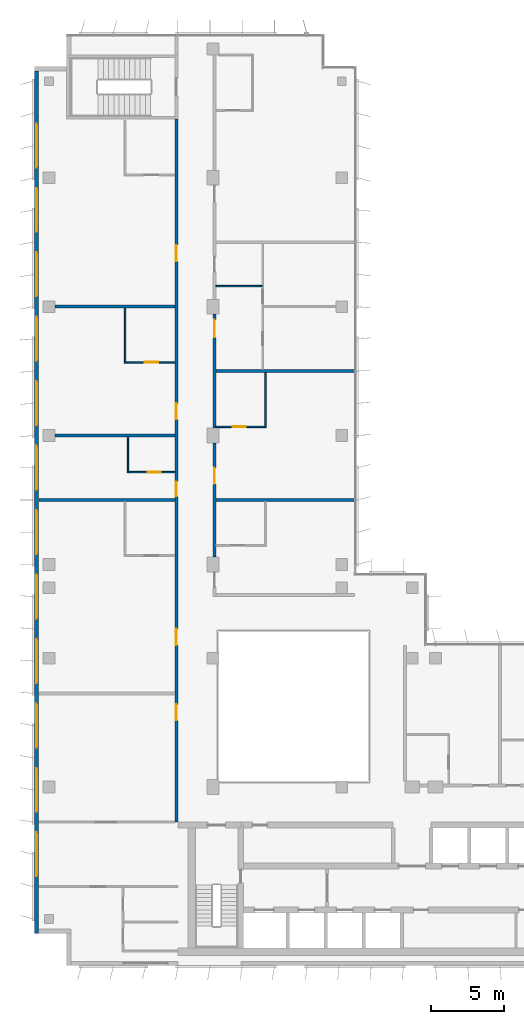
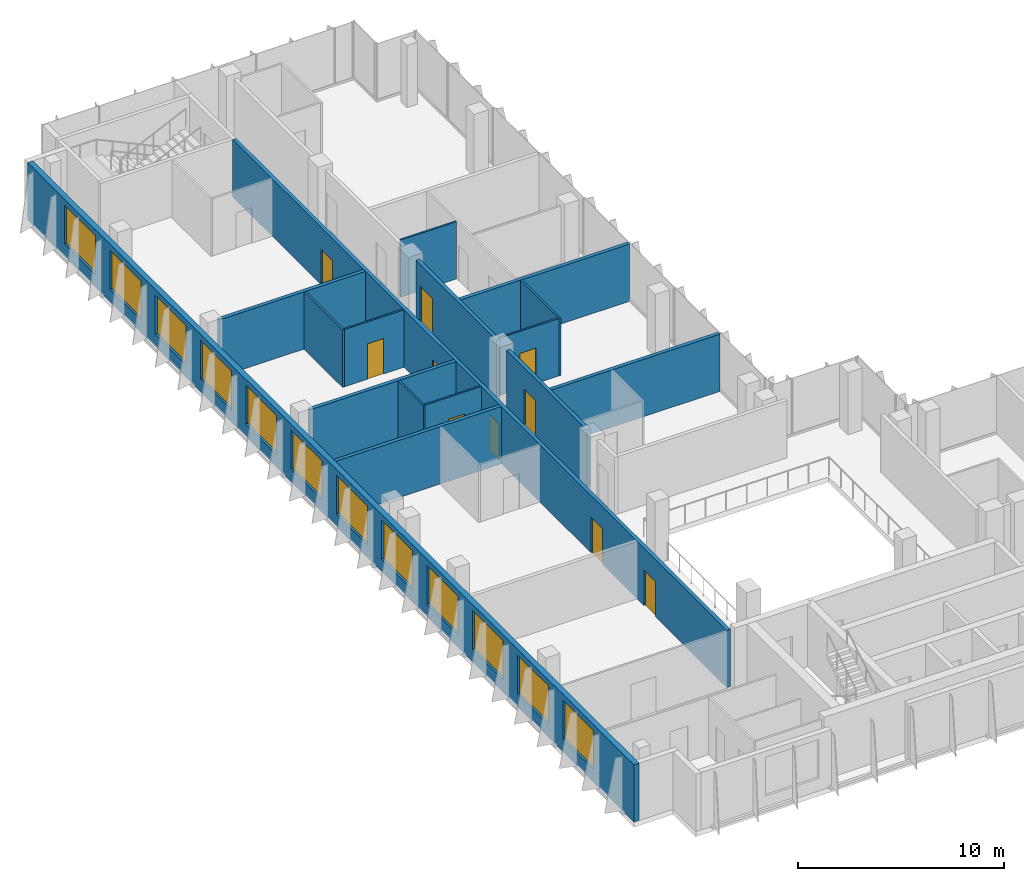
# One storey, part 11 of 15: 16 walls, 12 windows, 10 doors, 22 openings.
"""IFC4 building model written with IfcOpenShell, lengths in metres."""

from ifc_helpers import new_model, si_unit, direction, frame, frame_2d, origin, place, context, subcontext, project, spatial, rectangle, extrude, material, layer, layer_set, type_object, element, fill, save


model = new_model("IFC4")

# Units and contexts
model_context = context("Model", 3, precision=1e-05, world=origin(), true_north=direction((0.0, 1.0)))
body_context = subcontext(model_context, "Body", "Model", "MODEL_VIEW")
ifc_project = project(units=[si_unit("LENGTHUNIT", "METRE"), si_unit("AREAUNIT", "SQUARE_METRE"), si_unit("VOLUMEUNIT", "CUBIC_METRE"), si_unit("PLANEANGLEUNIT", "RADIAN"), si_unit("MASSUNIT", "GRAM", prefix="KILO")], contexts=[model_context])

# Site, building, storey
site_placement = place(None, origin())
site = spatial("IfcSite", under=ifc_project, at=site_placement, CompositionType="ELEMENT")
building_placement = place(site_placement, origin())
building = spatial("IfcBuilding", under=site, at=building_placement, Name="Kemantara Hotel Tower", CompositionType="ELEMENT")
storey_placement = place(building_placement, frame((0.0, 0.0, 264.800048828125)))
storey = spatial("IfcBuildingStorey", under=building, at=storey_placement, Name="L66", CompositionType="ELEMENT", Elevation=264.800048828125)

# Wall, openings, windows
ifc_material_1 = material(Name="Bronze anodised aluminium cladding on insulated steel stud wall", Category="steel")
ifc_layer_1 = layer(ifc_material_1, 0.300048828125)
ifc_layer_set_1 = layer_set([ifc_layer_1], Name="Bronze anodised aluminium cladding on insulated steel stud wall")
wall_type_1 = type_object("IfcWallType", Name="BRONZE METAL-CLAD EXTERNAL WALL 300", PredefinedType="STANDARD", material=ifc_layer_set_1)
wall_1_placement = place(storey_placement, frame((0.14990234375, 61.10009765625, 0.0), z_axis=(0.0, 0.0, 1.0), x_axis=(0.0, -1.0, 0.0)))
wall_1 = element("IfcWall", 1, at=wall_1_placement, inside=storey, type_object=wall_type_1, Name="EXTERNAL WALL L66 T4-R05", PredefinedType="STANDARD", context=body_context, shape_type="SweptSolid", body=[
    extrude(rectangle(XDim=58.900146484375, YDim=0.300048828125, at=frame_2d((29.4501953125, 0.0))), origin(), (0.0, 0.0, 1.0), 3.39990234375),
])
opening_1_placement = place(wall_1_placement, frame((3.60009765625, 0.0, 0.75)))
opening_1 = element("IfcOpeningElement", 2, at=opening_1_placement, cuts=wall_1, Name="Opening W1", PredefinedType="OPENING", context=body_context, shape_type="SweptSolid", body=[
    extrude(rectangle(XDim=3.0, YDim=2.300048828125, at=frame_2d((1.5, 1.14990234375))), frame((0.0, 0.159912109375, 0.0), z_axis=(0.0, -1.0, 0.0), x_axis=(1.0, 0.0, 0.0)), (0.0, 0.0, 1.0), 0.320068359375),
])
opening_2_placement = place(wall_1_placement, frame((8.0, 0.0, 0.75)))
opening_2 = element("IfcOpeningElement", 3, at=opening_2_placement, cuts=wall_1, Name="Opening W1", PredefinedType="OPENING", context=body_context, shape_type="SweptSolid", body=[
    extrude(rectangle(XDim=3.0, YDim=2.300048828125, at=frame_2d((1.5, 1.14990234375))), frame((0.0, 0.159912109375, 0.0), z_axis=(0.0, -1.0, 0.0), x_axis=(1.0, 0.0, 0.0)), (0.0, 0.0, 1.0), 0.320068359375),
])
opening_3_placement = place(wall_1_placement, frame((12.39990234375, 0.0, 0.75)))
opening_3 = element("IfcOpeningElement", 4, at=opening_3_placement, cuts=wall_1, Name="Opening W1", PredefinedType="OPENING", context=body_context, shape_type="SweptSolid", body=[
    extrude(rectangle(XDim=3.0, YDim=2.300048828125, at=frame_2d((1.5, 1.14990234375))), frame((0.0, 0.159912109375, 0.0), z_axis=(0.0, -1.0, 0.0), x_axis=(1.0, 0.0, 0.0)), (0.0, 0.0, 1.0), 0.320068359375),
])
opening_4_placement = place(wall_1_placement, frame((16.800048828125, 0.0, 0.75)))
opening_4 = element("IfcOpeningElement", 5, at=opening_4_placement, cuts=wall_1, Name="Opening W1", PredefinedType="OPENING", context=body_context, shape_type="SweptSolid", body=[
    extrude(rectangle(XDim=3.0, YDim=2.300048828125, at=frame_2d((1.5, 1.14990234375))), frame((0.0, 0.159912109375, 0.0), z_axis=(0.0, -1.0, 0.0), x_axis=(1.0, 0.0, 0.0)), (0.0, 0.0, 1.0), 0.320068359375),
])
opening_5_placement = place(wall_1_placement, frame((21.199951171875, 0.0, 0.75)))
opening_5 = element("IfcOpeningElement", 6, at=opening_5_placement, cuts=wall_1, Name="Opening W1", PredefinedType="OPENING", context=body_context, shape_type="SweptSolid", body=[
    extrude(rectangle(XDim=3.0, YDim=2.300048828125, at=frame_2d((1.5, 1.14990234375))), frame((0.0, 0.159912109375, 0.0), z_axis=(0.0, -1.0, 0.0), x_axis=(1.0, 0.0, 0.0)), (0.0, 0.0, 1.0), 0.320068359375),
])
opening_6_placement = place(wall_1_placement, frame((25.60009765625, 0.0, 0.75)))
opening_6 = element("IfcOpeningElement", 7, at=opening_6_placement, cuts=wall_1, Name="Opening W1", PredefinedType="OPENING", context=body_context, shape_type="SweptSolid", body=[
    extrude(rectangle(XDim=3.0, YDim=2.300048828125, at=frame_2d((1.5, 1.14990234375))), frame((0.0, 0.159912109375, 0.0), z_axis=(0.0, -1.0, 0.0), x_axis=(1.0, 0.0, 0.0)), (0.0, 0.0, 1.0), 0.320068359375),
])
opening_7_placement = place(wall_1_placement, frame((30.0, 0.0, 0.75)))
opening_7 = element("IfcOpeningElement", 8, at=opening_7_placement, cuts=wall_1, Name="Opening W1", PredefinedType="OPENING", context=body_context, shape_type="SweptSolid", body=[
    extrude(rectangle(XDim=3.0, YDim=2.300048828125, at=frame_2d((1.5, 1.14990234375))), frame((0.0, 0.159912109375, 0.0), z_axis=(0.0, -1.0, 0.0), x_axis=(1.0, 0.0, 0.0)), (0.0, 0.0, 1.0), 0.320068359375),
])
opening_8_placement = place(wall_1_placement, frame((34.39990234375, 0.0, 0.75)))
opening_8 = element("IfcOpeningElement", 9, at=opening_8_placement, cuts=wall_1, Name="Opening W1", PredefinedType="OPENING", context=body_context, shape_type="SweptSolid", body=[
    extrude(rectangle(XDim=3.0, YDim=2.300048828125, at=frame_2d((1.5, 1.14990234375))), frame((0.0, 0.159912109375, 0.0), z_axis=(0.0, -1.0, 0.0), x_axis=(1.0, 0.0, 0.0)), (0.0, 0.0, 1.0), 0.320068359375),
])
opening_9_placement = place(wall_1_placement, frame((38.800048828125, 0.0, 0.75)))
opening_9 = element("IfcOpeningElement", 10, at=opening_9_placement, cuts=wall_1, Name="Opening W1", PredefinedType="OPENING", context=body_context, shape_type="SweptSolid", body=[
    extrude(rectangle(XDim=3.0, YDim=2.300048828125, at=frame_2d((1.5, 1.14990234375))), frame((0.0, 0.159912109375, 0.0), z_axis=(0.0, -1.0, 0.0), x_axis=(1.0, 0.0, 0.0)), (0.0, 0.0, 1.0), 0.320068359375),
])
opening_10_placement = place(wall_1_placement, frame((43.199951171875, 0.0, 0.75)))
opening_10 = element("IfcOpeningElement", 11, at=opening_10_placement, cuts=wall_1, Name="Opening W1", PredefinedType="OPENING", context=body_context, shape_type="SweptSolid", body=[
    extrude(rectangle(XDim=3.0, YDim=2.300048828125, at=frame_2d((1.5, 1.14990234375))), frame((0.0, 0.159912109375, 0.0), z_axis=(0.0, -1.0, 0.0), x_axis=(1.0, 0.0, 0.0)), (0.0, 0.0, 1.0), 0.320068359375),
])
opening_11_placement = place(wall_1_placement, frame((47.60009765625, 0.0, 0.75)))
opening_11 = element("IfcOpeningElement", 12, at=opening_11_placement, cuts=wall_1, Name="Opening W1", PredefinedType="OPENING", context=body_context, shape_type="SweptSolid", body=[
    extrude(rectangle(XDim=3.0, YDim=2.300048828125, at=frame_2d((1.5, 1.14990234375))), frame((0.0, 0.159912109375, 0.0), z_axis=(0.0, -1.0, 0.0), x_axis=(1.0, 0.0, 0.0)), (0.0, 0.0, 1.0), 0.320068359375),
])
opening_12_placement = place(wall_1_placement, frame((52.0, 0.0, 0.75)))
opening_12 = element("IfcOpeningElement", 13, at=opening_12_placement, cuts=wall_1, Name="Opening W1", PredefinedType="OPENING", context=body_context, shape_type="SweptSolid", body=[
    extrude(rectangle(XDim=3.0, YDim=2.300048828125, at=frame_2d((1.5, 1.14990234375))), frame((0.0, 0.159912109375, 0.0), z_axis=(0.0, -1.0, 0.0), x_axis=(1.0, 0.0, 0.0)), (0.0, 0.0, 1.0), 0.320068359375),
])
ifc_material_2 = material(Name="Low-E tinted double insulated glass in bronze anodised aluminium frame", Category="aluminium")
window_type = type_object("IfcWindowType", Name="CHICAGO WINDOW, TRIPLE PANEL 3000x2300", PartitioningType="TRIPLE_PANEL_VERTICAL", PredefinedType="WINDOW", material=ifc_material_2)
window_1_placement = place(opening_1_placement, origin())
window_1 = element("IfcWindow", 14, at=window_1_placement, inside=storey, type_object=window_type, Name="CHICAGO WINDOW L66 T4-R05-54", OverallHeight=2.300048828125, OverallWidth=3.0, PartitioningType="SINGLE_PANEL", PredefinedType="WINDOW", context=body_context, shape_type="SweptSolid", body=[
    extrude(rectangle(XDim=3.0, YDim=2.300048828125, at=frame_2d((1.5, 1.14990234375))), frame((0.0, 0.030029296875, 0.0), z_axis=(0.0, -1.0, 0.0), x_axis=(1.0, 0.0, 0.0)), (0.0, 0.0, 1.0), 0.06005859375),
])
fill(opening_1, window_1)
window_2_placement = place(opening_2_placement, origin())
window_2 = element("IfcWindow", 15, at=window_2_placement, inside=storey, type_object=window_type, Name="CHICAGO WINDOW L66 T4-R05-98", OverallHeight=2.300048828125, OverallWidth=3.0, PartitioningType="SINGLE_PANEL", PredefinedType="WINDOW", context=body_context, shape_type="SweptSolid", body=[
    extrude(rectangle(XDim=3.0, YDim=2.300048828125, at=frame_2d((1.5, 1.14990234375))), frame((0.0, 0.030029296875, 0.0), z_axis=(0.0, -1.0, 0.0), x_axis=(1.0, 0.0, 0.0)), (0.0, 0.0, 1.0), 0.06005859375),
])
fill(opening_2, window_2)
window_3_placement = place(opening_3_placement, origin())
window_3 = element("IfcWindow", 16, at=window_3_placement, inside=storey, type_object=window_type, Name="CHICAGO WINDOW L66 T4-R05-142", OverallHeight=2.300048828125, OverallWidth=3.0, PartitioningType="SINGLE_PANEL", PredefinedType="WINDOW", context=body_context, shape_type="SweptSolid", body=[
    extrude(rectangle(XDim=3.0, YDim=2.300048828125, at=frame_2d((1.5, 1.14990234375))), frame((0.0, 0.030029296875, 0.0), z_axis=(0.0, -1.0, 0.0), x_axis=(1.0, 0.0, 0.0)), (0.0, 0.0, 1.0), 0.06005859375),
])
fill(opening_3, window_3)
window_4_placement = place(opening_4_placement, origin())
window_4 = element("IfcWindow", 17, at=window_4_placement, inside=storey, type_object=window_type, Name="CHICAGO WINDOW L66 T4-R05-186", OverallHeight=2.300048828125, OverallWidth=3.0, PartitioningType="SINGLE_PANEL", PredefinedType="WINDOW", context=body_context, shape_type="SweptSolid", body=[
    extrude(rectangle(XDim=3.0, YDim=2.300048828125, at=frame_2d((1.5, 1.14990234375))), frame((0.0, 0.030029296875, 0.0), z_axis=(0.0, -1.0, 0.0), x_axis=(1.0, 0.0, 0.0)), (0.0, 0.0, 1.0), 0.06005859375),
])
fill(opening_4, window_4)
window_5_placement = place(opening_5_placement, origin())
window_5 = element("IfcWindow", 18, at=window_5_placement, inside=storey, type_object=window_type, Name="CHICAGO WINDOW L66 T4-R05-230", OverallHeight=2.300048828125, OverallWidth=3.0, PartitioningType="SINGLE_PANEL", PredefinedType="WINDOW", context=body_context, shape_type="SweptSolid", body=[
    extrude(rectangle(XDim=3.0, YDim=2.300048828125, at=frame_2d((1.5, 1.14990234375))), frame((0.0, 0.030029296875, 0.0), z_axis=(0.0, -1.0, 0.0), x_axis=(1.0, 0.0, 0.0)), (0.0, 0.0, 1.0), 0.06005859375),
])
fill(opening_5, window_5)
window_6_placement = place(opening_6_placement, origin())
window_6 = element("IfcWindow", 19, at=window_6_placement, inside=storey, type_object=window_type, Name="CHICAGO WINDOW L66 T4-R05-274", OverallHeight=2.300048828125, OverallWidth=3.0, PartitioningType="SINGLE_PANEL", PredefinedType="WINDOW", context=body_context, shape_type="SweptSolid", body=[
    extrude(rectangle(XDim=3.0, YDim=2.300048828125, at=frame_2d((1.5, 1.14990234375))), frame((0.0, 0.030029296875, 0.0), z_axis=(0.0, -1.0, 0.0), x_axis=(1.0, 0.0, 0.0)), (0.0, 0.0, 1.0), 0.06005859375),
])
fill(opening_6, window_6)
window_7_placement = place(opening_7_placement, origin())
window_7 = element("IfcWindow", 20, at=window_7_placement, inside=storey, type_object=window_type, Name="CHICAGO WINDOW L66 T4-R05-318", OverallHeight=2.300048828125, OverallWidth=3.0, PartitioningType="SINGLE_PANEL", PredefinedType="WINDOW", context=body_context, shape_type="SweptSolid", body=[
    extrude(rectangle(XDim=3.0, YDim=2.300048828125, at=frame_2d((1.5, 1.14990234375))), frame((0.0, 0.030029296875, 0.0), z_axis=(0.0, -1.0, 0.0), x_axis=(1.0, 0.0, 0.0)), (0.0, 0.0, 1.0), 0.06005859375),
])
fill(opening_7, window_7)
window_8_placement = place(opening_8_placement, origin())
window_8 = element("IfcWindow", 21, at=window_8_placement, inside=storey, type_object=window_type, Name="CHICAGO WINDOW L66 T4-R05-362", OverallHeight=2.300048828125, OverallWidth=3.0, PartitioningType="SINGLE_PANEL", PredefinedType="WINDOW", context=body_context, shape_type="SweptSolid", body=[
    extrude(rectangle(XDim=3.0, YDim=2.300048828125, at=frame_2d((1.5, 1.14990234375))), frame((0.0, 0.030029296875, 0.0), z_axis=(0.0, -1.0, 0.0), x_axis=(1.0, 0.0, 0.0)), (0.0, 0.0, 1.0), 0.06005859375),
])
fill(opening_8, window_8)
window_9_placement = place(opening_9_placement, origin())
window_9 = element("IfcWindow", 22, at=window_9_placement, inside=storey, type_object=window_type, Name="CHICAGO WINDOW L66 T4-R05-406", OverallHeight=2.300048828125, OverallWidth=3.0, PartitioningType="SINGLE_PANEL", PredefinedType="WINDOW", context=body_context, shape_type="SweptSolid", body=[
    extrude(rectangle(XDim=3.0, YDim=2.300048828125, at=frame_2d((1.5, 1.14990234375))), frame((0.0, 0.030029296875, 0.0), z_axis=(0.0, -1.0, 0.0), x_axis=(1.0, 0.0, 0.0)), (0.0, 0.0, 1.0), 0.06005859375),
])
fill(opening_9, window_9)
window_10_placement = place(opening_10_placement, origin())
window_10 = element("IfcWindow", 23, at=window_10_placement, inside=storey, type_object=window_type, Name="CHICAGO WINDOW L66 T4-R05-450", OverallHeight=2.300048828125, OverallWidth=3.0, PartitioningType="SINGLE_PANEL", PredefinedType="WINDOW", context=body_context, shape_type="SweptSolid", body=[
    extrude(rectangle(XDim=3.0, YDim=2.300048828125, at=frame_2d((1.5, 1.14990234375))), frame((0.0, 0.030029296875, 0.0), z_axis=(0.0, -1.0, 0.0), x_axis=(1.0, 0.0, 0.0)), (0.0, 0.0, 1.0), 0.06005859375),
])
fill(opening_10, window_10)
window_11_placement = place(opening_11_placement, origin())
window_11 = element("IfcWindow", 24, at=window_11_placement, inside=storey, type_object=window_type, Name="CHICAGO WINDOW L66 T4-R05-494", OverallHeight=2.300048828125, OverallWidth=3.0, PartitioningType="SINGLE_PANEL", PredefinedType="WINDOW", context=body_context, shape_type="SweptSolid", body=[
    extrude(rectangle(XDim=3.0, YDim=2.300048828125, at=frame_2d((1.5, 1.14990234375))), frame((0.0, 0.030029296875, 0.0), z_axis=(0.0, -1.0, 0.0), x_axis=(1.0, 0.0, 0.0)), (0.0, 0.0, 1.0), 0.06005859375),
])
fill(opening_11, window_11)
window_12_placement = place(opening_12_placement, origin())
window_12 = element("IfcWindow", 25, at=window_12_placement, inside=storey, type_object=window_type, Name="CHICAGO WINDOW L66 T4-R05-538", OverallHeight=2.300048828125, OverallWidth=3.0, PartitioningType="SINGLE_PANEL", PredefinedType="WINDOW", context=body_context, shape_type="SweptSolid", body=[
    extrude(rectangle(XDim=3.0, YDim=2.300048828125, at=frame_2d((1.5, 1.14990234375))), frame((0.0, 0.030029296875, 0.0), z_axis=(0.0, -1.0, 0.0), x_axis=(1.0, 0.0, 0.0)), (0.0, 0.0, 1.0), 0.06005859375),
])
fill(opening_12, window_12)

# Wall, openings, doors
ifc_material_3 = material(Name="Gypsum board partition, steel studs and mineral wool, 200 mm", Category="steel")
ifc_layer_2 = layer(ifc_material_3, 0.199951171875)
ifc_layer_set_2 = layer_set([ifc_layer_2], Name="Gypsum board partition, steel studs and mineral wool, 200 mm")
wall_type_2 = type_object("IfcWallType", Name="CORRIDOR WALL 200", PredefinedType="PARTITIONING", material=ifc_layer_set_2)
wall_2_placement = place(storey_placement, frame((9.699951171875, 9.800048828125, 0.0), z_axis=(0.0, 0.0, 1.0), x_axis=(0.0, 1.0, 0.0)))
wall_2 = element("IfcWall", 26, at=wall_2_placement, inside=storey, type_object=wall_type_2, Name="CORRIDOR WALL 200 007", PredefinedType="PARTITIONING", context=body_context, shape_type="SweptSolid", body=[
    extrude(rectangle(XDim=48.0, YDim=0.199951171875, at=frame_2d((24.0, 0.0))), origin(), (0.0, 0.0, 1.0), 3.39990234375),
])
opening_13_placement = place(wall_2_placement, frame((6.949951171875, 0.0, 0.0)))
opening_13 = element("IfcOpeningElement", 27, at=opening_13_placement, cuts=wall_2, Name="Opening F32-007", PredefinedType="OPENING", context=body_context, shape_type="SweptSolid", body=[
    extrude(rectangle(XDim=1.10009765625, YDim=2.10009765625, at=frame_2d((0.550048828125, 1.050048828125))), frame((0.0, 0.10986328125, 0.0), z_axis=(0.0, -1.0, 0.0), x_axis=(1.0, 0.0, 0.0)), (0.0, 0.0, 1.0), 0.219970703125),
])
opening_14_placement = place(wall_2_placement, frame((12.10009765625, 0.0, 0.0)))
opening_14 = element("IfcOpeningElement", 28, at=opening_14_placement, cuts=wall_2, Name="Opening F32-012", PredefinedType="OPENING", context=body_context, shape_type="SweptSolid", body=[
    extrude(rectangle(XDim=1.10009765625, YDim=2.10009765625, at=frame_2d((0.550048828125, 1.050048828125))), frame((0.0, 0.10986328125, 0.0), z_axis=(0.0, -1.0, 0.0), x_axis=(1.0, 0.0, 0.0)), (0.0, 0.0, 1.0), 0.219970703125),
])
opening_15_placement = place(wall_2_placement, frame((22.25, 0.0, 0.0)))
opening_15 = element("IfcOpeningElement", 29, at=opening_15_placement, cuts=wall_2, Name="Opening F32-014", PredefinedType="OPENING", context=body_context, shape_type="SweptSolid", body=[
    extrude(rectangle(XDim=1.0, YDim=2.10009765625, at=frame_2d((0.5, 1.050048828125))), frame((0.0, 0.10986328125, 0.0), z_axis=(0.0, -1.0, 0.0), x_axis=(1.0, 0.0, 0.0)), (0.0, 0.0, 1.0), 0.219970703125),
])
opening_16_placement = place(wall_2_placement, frame((27.5, 0.0, 0.0)))
opening_16 = element("IfcOpeningElement", 30, at=opening_16_placement, cuts=wall_2, Name="Opening F32-016", PredefinedType="OPENING", context=body_context, shape_type="SweptSolid", body=[
    extrude(rectangle(XDim=1.10009765625, YDim=2.10009765625, at=frame_2d((0.550048828125, 1.050048828125))), frame((0.0, 0.10986328125, 0.0), z_axis=(0.0, -1.0, 0.0), x_axis=(1.0, 0.0, 0.0)), (0.0, 0.0, 1.0), 0.219970703125),
])
opening_17_placement = place(wall_2_placement, frame((38.300048828125, 0.0, 0.0)))
opening_17 = element("IfcOpeningElement", 31, at=opening_17_placement, cuts=wall_2, Name="Opening F32-018", PredefinedType="OPENING", context=body_context, shape_type="SweptSolid", body=[
    extrude(rectangle(XDim=1.10009765625, YDim=2.10009765625, at=frame_2d((0.550048828125, 1.050048828125))), frame((0.0, 0.10986328125, 0.0), z_axis=(0.0, -1.0, 0.0), x_axis=(1.0, 0.0, 0.0)), (0.0, 0.0, 1.0), 0.219970703125),
])
ifc_material_4 = material(Name="Hardwood veneer door leaf with steel frame", Category="steel")
door_type_1 = type_object("IfcDoorType", Name="GUEST ROOM DOOR 1000 X 2100 FD30S", OperationType="NOTDEFINED", PredefinedType="DOOR", material=ifc_material_4)
door_1_placement = place(opening_15_placement, origin())
door_1 = element("IfcDoor", 32, at=door_1_placement, inside=storey, type_object=door_type_1, Name="GUEST ROOM DOOR F32-014", OperationType="SINGLE_SWING_LEFT", OverallHeight=2.10009765625, OverallWidth=1.0, PredefinedType="DOOR", context=body_context, shape_type="SweptSolid", body=[
    extrude(rectangle(XDim=1.0, YDim=2.10009765625, at=frame_2d((0.5, 1.050048828125))), frame((0.0, 0.02490234375, 0.0), z_axis=(0.0, -1.0, 0.0), x_axis=(1.0, 0.0, 0.0)), (0.0, 0.0, 1.0), 0.050048828125),
])
fill(opening_15, door_1)
door_type_2 = type_object("IfcDoorType", Name="SUITE ENTRANCE DOOR 1100 X 2100 FD30S", OperationType="NOTDEFINED", PredefinedType="DOOR", material=ifc_material_4)
door_2_placement = place(opening_13_placement, origin())
door_2 = element("IfcDoor", 33, at=door_2_placement, inside=storey, type_object=door_type_2, Name="SUITE ENTRANCE DOOR F32-007", OperationType="SINGLE_SWING_RIGHT", OverallHeight=2.10009765625, OverallWidth=1.10009765625, PredefinedType="DOOR", context=body_context, shape_type="SweptSolid", body=[
    extrude(rectangle(XDim=1.10009765625, YDim=2.10009765625, at=frame_2d((0.550048828125, 1.050048828125))), frame((0.0, 0.02490234375, 0.0), z_axis=(0.0, -1.0, 0.0), x_axis=(1.0, 0.0, 0.0)), (0.0, 0.0, 1.0), 0.050048828125),
])
fill(opening_13, door_2)
door_3_placement = place(opening_14_placement, origin())
door_3 = element("IfcDoor", 34, at=door_3_placement, inside=storey, type_object=door_type_2, Name="SUITE ENTRANCE DOOR F32-012", OperationType="SINGLE_SWING_LEFT", OverallHeight=2.10009765625, OverallWidth=1.10009765625, PredefinedType="DOOR", context=body_context, shape_type="SweptSolid", body=[
    extrude(rectangle(XDim=1.10009765625, YDim=2.10009765625, at=frame_2d((0.550048828125, 1.050048828125))), frame((0.0, 0.02490234375, 0.0), z_axis=(0.0, -1.0, 0.0), x_axis=(1.0, 0.0, 0.0)), (0.0, 0.0, 1.0), 0.050048828125),
])
fill(opening_14, door_3)
door_4_placement = place(opening_16_placement, origin())
door_4 = element("IfcDoor", 35, at=door_4_placement, inside=storey, type_object=door_type_2, Name="SUITE ENTRANCE DOOR F32-016", OperationType="SINGLE_SWING_LEFT", OverallHeight=2.10009765625, OverallWidth=1.10009765625, PredefinedType="DOOR", context=body_context, shape_type="SweptSolid", body=[
    extrude(rectangle(XDim=1.10009765625, YDim=2.10009765625, at=frame_2d((0.550048828125, 1.050048828125))), frame((0.0, 0.02490234375, 0.0), z_axis=(0.0, -1.0, 0.0), x_axis=(1.0, 0.0, 0.0)), (0.0, 0.0, 1.0), 0.050048828125),
])
fill(opening_16, door_4)
door_5_placement = place(opening_17_placement, origin())
door_5 = element("IfcDoor", 36, at=door_5_placement, inside=storey, type_object=door_type_2, Name="SUITE ENTRANCE DOOR F32-018", OperationType="SINGLE_SWING_LEFT", OverallHeight=2.10009765625, OverallWidth=1.10009765625, PredefinedType="DOOR", context=body_context, shape_type="SweptSolid", body=[
    extrude(rectangle(XDim=1.10009765625, YDim=2.10009765625, at=frame_2d((0.550048828125, 1.050048828125))), frame((0.0, 0.02490234375, 0.0), z_axis=(0.0, -1.0, 0.0), x_axis=(1.0, 0.0, 0.0)), (0.0, 0.0, 1.0), 0.050048828125),
])
fill(opening_17, door_5)

# Wall, opening, door
wall_3_placement = place(storey_placement, frame((12.300048828125, 35.699951171875, 0.0), z_axis=(0.0, 0.0, 1.0), x_axis=(0.0, -1.0, 0.0)))
wall_3 = element("IfcWall", 37, at=wall_3_placement, inside=storey, type_object=wall_type_2, Name="CORRIDOR WALL 200 015", PredefinedType="PARTITIONING", context=body_context, shape_type="SweptSolid", body=[
    extrude(rectangle(XDim=7.7998046875, YDim=0.199951171875, at=frame_2d((3.89990234375, 0.0))), origin(), (0.0, 0.0, 1.0), 3.39990234375),
])
opening_18_placement = place(wall_3_placement, frame((1.699951171875, 0.0, 0.0)))
opening_18 = element("IfcOpeningElement", 38, at=opening_18_placement, cuts=wall_3, Name="Opening F32-022", PredefinedType="OPENING", context=body_context, shape_type="SweptSolid", body=[
    extrude(rectangle(XDim=1.10009765625, YDim=2.10009765625, at=frame_2d((0.550048828125, 1.050048828125))), frame((0.0, 0.10986328125, 0.0), z_axis=(0.0, -1.0, 0.0), x_axis=(1.0, 0.0, 0.0)), (0.0, 0.0, 1.0), 0.219970703125),
])
door_6_placement = place(opening_18_placement, origin())
door_6 = element("IfcDoor", 39, at=door_6_placement, inside=storey, type_object=door_type_2, Name="SUITE ENTRANCE DOOR F32-022", OperationType="SINGLE_SWING_RIGHT", OverallHeight=2.10009765625, OverallWidth=1.10009765625, PredefinedType="DOOR", context=body_context, shape_type="SweptSolid", body=[
    extrude(rectangle(XDim=1.10009765625, YDim=2.10009765625, at=frame_2d((0.550048828125, 1.050048828125))), frame((0.0, 0.02490234375, 0.0), z_axis=(0.0, -1.0, 0.0), x_axis=(1.0, 0.0, 0.0)), (0.0, 0.0, 1.0), 0.050048828125),
])
fill(opening_18, door_6)

wall_4_placement = place(storey_placement, frame((12.300048828125, 44.5, 0.0), z_axis=(0.0, 0.0, 1.0), x_axis=(0.0, -1.0, 0.0)))
wall_4 = element("IfcWall", 40, at=wall_4_placement, inside=storey, type_object=wall_type_2, Name="CORRIDOR WALL 200 016", PredefinedType="PARTITIONING", context=body_context, shape_type="SweptSolid", body=[
    extrude(rectangle(XDim=7.7998046875, YDim=0.199951171875, at=frame_2d((3.89990234375, 0.0))), origin(), (0.0, 0.0, 1.0), 3.39990234375),
])
opening_19_placement = place(wall_4_placement, frame((0.39990234375, 0.0, 0.0)))
opening_19 = element("IfcOpeningElement", 41, at=opening_19_placement, cuts=wall_4, Name="Opening F32-025", PredefinedType="OPENING", context=body_context, shape_type="SweptSolid", body=[
    extrude(rectangle(XDim=1.199951171875, YDim=2.10009765625, at=frame_2d((0.60009765625, 1.050048828125))), frame((0.0, 0.10986328125, 0.0), z_axis=(0.0, -1.0, 0.0), x_axis=(1.0, 0.0, 0.0)), (0.0, 0.0, 1.0), 0.219970703125),
])
door_type_3 = type_object("IfcDoorType", Name="GUEST ROOM DOOR 1200 X 2100 FD30S", OperationType="NOTDEFINED", PredefinedType="DOOR", material=ifc_material_4)
door_7_placement = place(opening_19_placement, origin())
door_7 = element("IfcDoor", 42, at=door_7_placement, inside=storey, type_object=door_type_3, Name="GUEST ROOM DOOR F32-025", OperationType="SINGLE_SWING_RIGHT", OverallHeight=2.10009765625, OverallWidth=1.199951171875, PredefinedType="DOOR", context=body_context, shape_type="SweptSolid", body=[
    extrude(rectangle(XDim=1.199951171875, YDim=2.10009765625, at=frame_2d((0.60009765625, 1.050048828125))), frame((0.0, 0.02490234375, 0.0), z_axis=(0.0, -1.0, 0.0), x_axis=(1.0, 0.0, 0.0)), (0.0, 0.0, 1.0), 0.050048828125),
])
fill(opening_19, door_7)

# Walls
ifc_layer_3 = layer(ifc_material_3, 0.199951171875)
ifc_layer_set_3 = layer_set([ifc_layer_3], Name="Gypsum board partition, steel studs and mineral wool, 200 mm")
wall_type_3 = type_object("IfcWallType", Name="GUEST ROOM PARTY WALL 200", PredefinedType="PARTITIONING", material=ifc_layer_set_3)
wall_5_placement = place(storey_placement, frame((0.31005859375, 31.800048828125, 0.0), z_axis=(0.0, 0.0, 1.0), x_axis=(1.0, 0.0, 0.0)))
element("IfcWall", 43, at=wall_5_placement, inside=storey, type_object=wall_type_3, Name="GUEST ROOM PARTY WALL 200 010", PredefinedType="PARTITIONING", context=body_context, shape_type="SweptSolid", body=[
    extrude(rectangle(XDim=9.2900390625, YDim=0.199951171875, at=frame_2d((4.64501953125, 0.0))), origin(), (0.0, 0.0, 1.0), 3.39990234375),
])
wall_6_placement = place(storey_placement, frame((12.39990234375, 31.800048828125, 0.0), z_axis=(0.0, 0.0, 1.0), x_axis=(1.0, 0.0, 0.0)))
element("IfcWall", 44, at=wall_6_placement, inside=storey, type_object=wall_type_3, Name="GUEST ROOM PARTY WALL 200 011", PredefinedType="PARTITIONING", context=body_context, shape_type="SweptSolid", body=[
    extrude(rectangle(XDim=9.47021484375, YDim=0.199951171875, at=frame_2d((4.735107421875, 0.0))), origin(), (0.0, 0.0, 1.0), 3.39990234375),
])
for number, where, z_axis, x_axis, name in (
    (45, (1.400146484375, 36.199951171875, 0.0), (0.0, 0.0, 1.0), (1.0, 0.0, 0.0), "GUEST ROOM PARTY WALL 200 012"),
    (46, (1.400146484375, 45.0, 0.0), (0.0, 0.0, 1.0), (1.0, 0.0, 0.0), "GUEST ROOM PARTY WALL 200 013"),
):
    element("IfcWall", number, at=place(storey_placement, frame(where, z_axis=z_axis, x_axis=x_axis)), inside=storey, type_object=wall_type_3, Name=name, PredefinedType="PARTITIONING", context=body_context, shape_type="SweptSolid", body=[
        extrude(rectangle(XDim=8.199951171875, YDim=0.199951171875, at=frame_2d((4.10009765625, 0.0))), origin(), (0.0, 0.0, 1.0), 3.39990234375),
    ])
wall_7_placement = place(storey_placement, frame((12.39990234375, 40.60009765625, 0.0), z_axis=(0.0, 0.0, 1.0), x_axis=(1.0, 0.0, 0.0)))
element("IfcWall", 47, at=wall_7_placement, inside=storey, type_object=wall_type_3, Name="GUEST ROOM PARTY WALL 200 020", PredefinedType="PARTITIONING", context=body_context, shape_type="SweptSolid", body=[
    extrude(rectangle(XDim=9.47021484375, YDim=0.199951171875, at=frame_2d((4.735107421875, 0.0))), origin(), (0.0, 0.0, 1.0), 3.39990234375),
])
ifc_material_5 = material(Name="Gypsum board partition on steel studs, 100 mm", Category="steel")
ifc_layer_4 = layer(ifc_material_5, 0.10009765625)
ifc_layer_set_4 = layer_set([ifc_layer_4], Name="Gypsum board partition on steel studs, 100 mm")
wall_type_4 = type_object("IfcWallType", Name="ROOM PARTITION 100", PredefinedType="PARTITIONING", material=ifc_layer_set_4)
wall_8_placement = place(storey_placement, frame((6.199951171875, 41.14990234375, 0.0), z_axis=(0.0, 0.0, 1.0), x_axis=(0.0, 1.0, 0.0)))
element("IfcWall", 48, at=wall_8_placement, inside=storey, type_object=wall_type_4, Name="ROOM PARTITION 100 035", PredefinedType="PARTITIONING", context=body_context, shape_type="SweptSolid", body=[
    extrude(rectangle(XDim=3.75, YDim=0.10009765625, at=frame_2d((1.875, 0.0))), origin(), (0.0, 0.0, 1.0), 3.39990234375),
])
wall_9_placement = place(storey_placement, frame((6.39990234375, 33.64990234375, 0.0), z_axis=(0.0, 0.0, 1.0), x_axis=(0.0, 1.0, 0.0)))
element("IfcWall", 49, at=wall_9_placement, inside=storey, type_object=wall_type_4, Name="ROOM PARTITION 100 038", PredefinedType="PARTITIONING", context=body_context, shape_type="SweptSolid", body=[
    extrude(rectangle(XDim=2.4501953125, YDim=0.10009765625, at=frame_2d((1.22509765625, 0.0))), origin(), (0.0, 0.0, 1.0), 3.39990234375),
])

# Wall, opening, door
wall_10_placement = place(storey_placement, frame((6.449951171875, 33.699951171875, 0.0), z_axis=(0.0, 0.0, 1.0), x_axis=(1.0, 0.0, 0.0)))
wall_10 = element("IfcWall", 50, at=wall_10_placement, inside=storey, type_object=wall_type_4, Name="ROOM PARTITION 100 039", PredefinedType="PARTITIONING", context=body_context, shape_type="SweptSolid", body=[
    extrude(rectangle(XDim=3.150146484375, YDim=0.10009765625, at=frame_2d((1.5751953125, 0.0))), origin(), (0.0, 0.0, 1.0), 3.39990234375),
])
opening_20_placement = place(wall_10_placement, frame((1.300048828125, 0.0, 0.0)))
opening_20 = element("IfcOpeningElement", 51, at=opening_20_placement, cuts=wall_10, Name="Opening F32-015", PredefinedType="OPENING", context=body_context, shape_type="SweptSolid", body=[
    extrude(rectangle(XDim=0.89990234375, YDim=2.10009765625, at=frame_2d((0.449951171875, 1.050048828125))), frame((0.0, 0.06005859375, 0.0), z_axis=(0.0, -1.0, 0.0), x_axis=(1.0, 0.0, 0.0)), (0.0, 0.0, 1.0), 0.1201171875),
])
door_type_4 = type_object("IfcDoorType", Name="BATHROOM DOOR 900 X 2100", OperationType="NOTDEFINED", PredefinedType="DOOR", material=ifc_material_4)
door_8_placement = place(opening_20_placement, origin())
door_8 = element("IfcDoor", 52, at=door_8_placement, inside=storey, type_object=door_type_4, Name="BATHROOM DOOR F32-015", OperationType="SINGLE_SWING_RIGHT", OverallHeight=2.10009765625, OverallWidth=0.89990234375, PredefinedType="DOOR", context=body_context, shape_type="SweptSolid", body=[
    extrude(rectangle(XDim=0.89990234375, YDim=2.10009765625, at=frame_2d((0.449951171875, 1.050048828125))), frame((0.0, 0.02490234375, 0.0), z_axis=(0.0, -1.0, 0.0), x_axis=(1.0, 0.0, 0.0)), (0.0, 0.0, 1.0), 0.050048828125),
])
fill(opening_20, door_8)

wall_11_placement = place(storey_placement, frame((6.25, 41.199951171875, 0.0), z_axis=(0.0, 0.0, 1.0), x_axis=(1.0, 0.0, 0.0)))
wall_11 = element("IfcWall", 53, at=wall_11_placement, inside=storey, type_object=wall_type_4, Name="ROOM PARTITION 100 040", PredefinedType="PARTITIONING", context=body_context, shape_type="SweptSolid", body=[
    extrude(rectangle(XDim=3.35009765625, YDim=0.10009765625, at=frame_2d((1.675048828125, 0.0))), origin(), (0.0, 0.0, 1.0), 3.39990234375),
])
opening_21_placement = place(wall_11_placement, frame((1.300048828125, 0.0, 0.0)))
opening_21 = element("IfcOpeningElement", 54, at=opening_21_placement, cuts=wall_11, Name="Opening F32-017", PredefinedType="OPENING", context=body_context, shape_type="SweptSolid", body=[
    extrude(rectangle(XDim=0.89990234375, YDim=2.10009765625, at=frame_2d((0.449951171875, 1.050048828125))), frame((0.0, 0.06005859375, 0.0), z_axis=(0.0, -1.0, 0.0), x_axis=(1.0, 0.0, 0.0)), (0.0, 0.0, 1.0), 0.1201171875),
])
door_9_placement = place(opening_21_placement, origin())
door_9 = element("IfcDoor", 55, at=door_9_placement, inside=storey, type_object=door_type_4, Name="BATHROOM DOOR F32-017", OperationType="SINGLE_SWING_RIGHT", OverallHeight=2.10009765625, OverallWidth=0.89990234375, PredefinedType="DOOR", context=body_context, shape_type="SweptSolid", body=[
    extrude(rectangle(XDim=0.89990234375, YDim=2.10009765625, at=frame_2d((0.449951171875, 1.050048828125))), frame((0.0, 0.02490234375, 0.0), z_axis=(0.0, -1.0, 0.0), x_axis=(1.0, 0.0, 0.0)), (0.0, 0.0, 1.0), 0.050048828125),
])
fill(opening_21, door_9)

# Wall
wall_12_placement = place(storey_placement, frame((15.800048828125, 36.75, 0.0), z_axis=(0.0, 0.0, 1.0), x_axis=(0.0, 1.0, 0.0)))
element("IfcWall", 56, at=wall_12_placement, inside=storey, type_object=wall_type_4, Name="ROOM PARTITION 100 043", PredefinedType="PARTITIONING", context=body_context, shape_type="SweptSolid", body=[
    extrude(rectangle(XDim=3.75, YDim=0.10009765625, at=frame_2d((1.875, 0.0))), origin(), (0.0, 0.0, 1.0), 3.39990234375),
])

# Wall, opening, door
wall_13_placement = place(storey_placement, frame((12.39990234375, 36.800048828125, 0.0), z_axis=(0.0, 0.0, 1.0), x_axis=(1.0, 0.0, 0.0)))
wall_13 = element("IfcWall", 57, at=wall_13_placement, inside=storey, type_object=wall_type_4, Name="ROOM PARTITION 100 045", PredefinedType="PARTITIONING", context=body_context, shape_type="SweptSolid", body=[
    extrude(rectangle(XDim=3.35009765625, YDim=0.10009765625, at=frame_2d((1.675048828125, 0.0))), origin(), (0.0, 0.0, 1.0), 3.39990234375),
])
opening_22_placement = place(wall_13_placement, frame((1.14990234375, 0.0, 0.0)))
opening_22 = element("IfcOpeningElement", 58, at=opening_22_placement, cuts=wall_13, Name="Opening F32-023", PredefinedType="OPENING", context=body_context, shape_type="SweptSolid", body=[
    extrude(rectangle(XDim=0.89990234375, YDim=2.10009765625, at=frame_2d((0.449951171875, 1.050048828125))), frame((0.0, 0.06005859375, 0.0), z_axis=(0.0, -1.0, 0.0), x_axis=(1.0, 0.0, 0.0)), (0.0, 0.0, 1.0), 0.1201171875),
])
door_10_placement = place(opening_22_placement, origin())
door_10 = element("IfcDoor", 59, at=door_10_placement, inside=storey, type_object=door_type_4, Name="BATHROOM DOOR F32-023", OperationType="SINGLE_SWING_LEFT", OverallHeight=2.10009765625, OverallWidth=0.89990234375, PredefinedType="DOOR", context=body_context, shape_type="SweptSolid", body=[
    extrude(rectangle(XDim=0.89990234375, YDim=2.10009765625, at=frame_2d((0.449951171875, 1.050048828125))), frame((0.0, 0.02490234375, 0.0), z_axis=(0.0, -1.0, 0.0), x_axis=(1.0, 0.0, 0.0)), (0.0, 0.0, 1.0), 0.050048828125),
])
fill(opening_22, door_10)

# Wall
wall_14_placement = place(storey_placement, frame((12.39990234375, 46.39990234375, 0.0), z_axis=(0.0, 0.0, 1.0), x_axis=(1.0, 0.0, 0.0)))
element("IfcWall", 60, at=wall_14_placement, inside=storey, type_object=wall_type_4, Name="ROOM PARTITION 100 047", PredefinedType="PARTITIONING", context=body_context, shape_type="SweptSolid", body=[
    extrude(rectangle(XDim=3.150146484375, YDim=0.10009765625, at=frame_2d((1.5751953125, 0.0))), origin(), (0.0, 0.0, 1.0), 3.39990234375),
])

save(model, "model.ifc")
